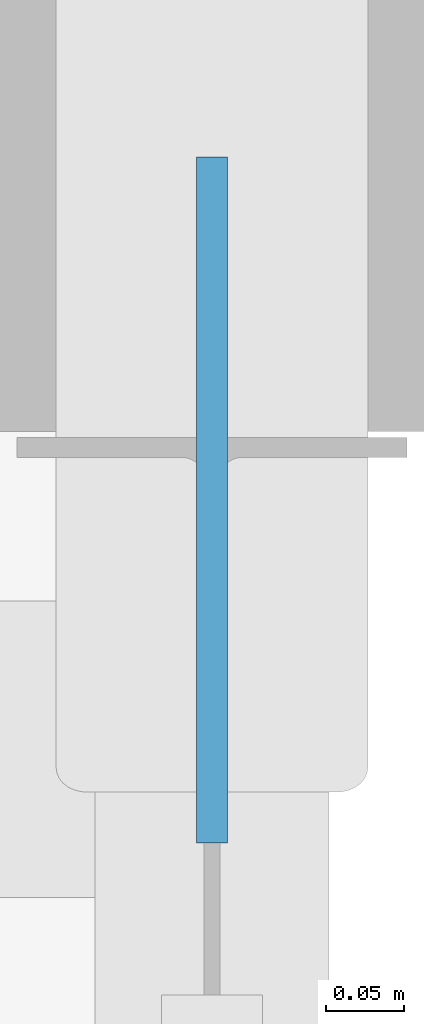
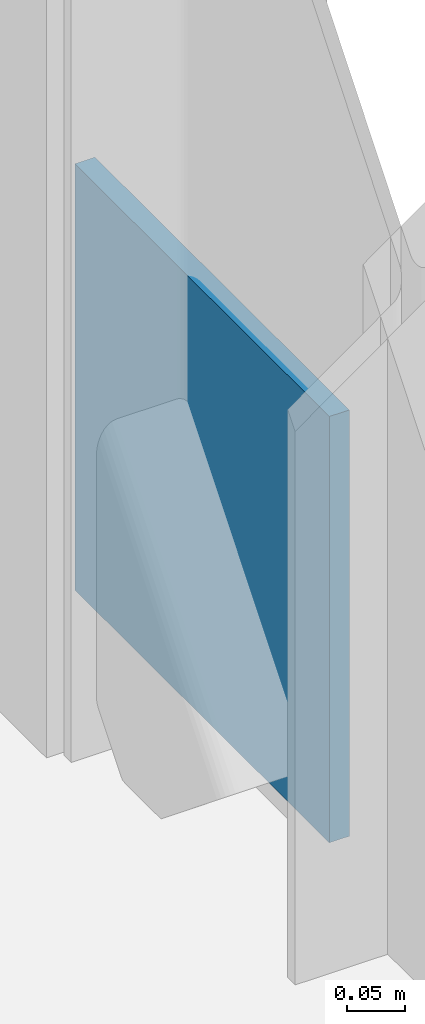
# One storey, part 98 of 116: 1 discrete accessory.
"""IFC4 building model written with IfcOpenShell, lengths in metres."""

import ifcopenshell
import ifcopenshell.guid

model = None  # the IFC model being written
_history = None  # IfcOwnerHistory: only IFC2X3 demands one
_inside = {}  # id of a spatial element -> (the spatial element, [elements in it])
_under = {}  # id of a project, library or spatial element -> (it, [spatial elements below it])
_declared = {}  # id of a project -> (the project, [libraries it declares])
_typed = {}  # id of a type object -> (the type object, [elements of that type])
_made_of = {}  # id of a material, layer set ... -> (it, [elements and type objects made of it])


def new_model(schema):
    """Start an empty IFC model of exactly this schema.

    Asked for "IFC4X3", IfcOpenShell would pick the latest addendum, in which some entities
    have other attributes; the version numbers below select the first issue.
    IFC2X3 requires an IfcOwnerHistory on every rooted entity: one is made here for all.
    """
    global model, _history
    if schema == "IFC4X3":
        model = ifcopenshell.file(schema_version=(4, 3, 0, 0))
    else:
        model = ifcopenshell.file(schema=schema)
    _inside.clear()
    _under.clear()
    _declared.clear()
    _typed.clear()
    _made_of.clear()
    _history = None
    if model.schema == "IFC2X3":
        org = make("IfcOrganization", Name="unknown")
        user = make(
            "IfcPersonAndOrganization",
            ThePerson=make("IfcPerson", FamilyName="unknown"),
            TheOrganization=org,
        )
        app = make(
            "IfcApplication",
            ApplicationDeveloper=org,
            Version="unknown",
            ApplicationFullName="unknown",
            ApplicationIdentifier="unknown",
        )
        _history = make(
            "IfcOwnerHistory",
            OwningUser=user,
            OwningApplication=app,
            ChangeAction="ADDED",
            CreationDate=0,
        )
    return model


def make(cls, **values):
    """One entity of the class cls with the attributes given. An attribute that is None is left unset."""
    return model.create_entity(
        cls, **{name: value for name, value in values.items() if value is not None}
    )


def rooted(cls, **values):
    """An entity with a GlobalId (a new one), such as an element, a storey or a relation."""
    return make(cls, GlobalId=ifcopenshell.guid.new(), OwnerHistory=_history, **values)


def si_unit(unit_type, name, prefix=None):
    """IfcSIUnit, for example si_unit("LENGTHUNIT", "METRE", prefix="MILLI")."""
    return make("IfcSIUnit", UnitType=unit_type, Prefix=prefix, Name=name)


def assignment(units):
    """IfcUnitAssignment: the units of a project."""
    return None if units is None else make("IfcUnitAssignment", Units=units)


def point(xyz):
    """IfcCartesianPoint."""
    return None if xyz is None else make("IfcCartesianPoint", Coordinates=xyz)


def direction(xyz):
    """IfcDirection."""
    return None if xyz is None else make("IfcDirection", DirectionRatios=xyz)


def frame(location, z_axis=None, x_axis=None):
    """IfcAxis2Placement3D, a coordinate frame: its origin and axes. An axis left out is left unset."""
    return make(
        "IfcAxis2Placement3D",
        Location=point(location),
        Axis=direction(z_axis),
        RefDirection=direction(x_axis),
    )


def frame_2d(location, x_axis=None):
    """IfcAxis2Placement2D, a coordinate frame in the plane: its origin and x axis."""
    return make(
        "IfcAxis2Placement2D", Location=point(location), RefDirection=direction(x_axis)
    )


def origin():
    """The frame at (0, 0, 0) with its axes left unset."""
    return frame((0.0, 0.0, 0.0))


def origin_2d():
    """The frame at (0, 0) in the plane with its x axis left unset."""
    return frame_2d((0.0, 0.0))


def place(relative_to, where):
    """IfcLocalPlacement: puts the frame where relative to a parent placement (None: the world)."""
    return make(
        "IfcLocalPlacement", PlacementRelTo=relative_to, RelativePlacement=where
    )


def context(
    kind, dimensions, precision=None, world=None, true_north=None, identifier=None
):
    """IfcGeometricRepresentationContext, for example the 3D "Model" context."""
    return make(
        "IfcGeometricRepresentationContext",
        ContextIdentifier=identifier,
        ContextType=kind,
        CoordinateSpaceDimension=dimensions,
        Precision=precision,
        WorldCoordinateSystem=world,
        TrueNorth=true_north,
    )


def subcontext(parent, identifier, kind, view, scale=None):
    """IfcGeometricRepresentationSubContext, for example "Body" below "Model"."""
    return make(
        "IfcGeometricRepresentationSubContext",
        ContextIdentifier=identifier,
        ContextType=kind,
        ParentContext=parent,
        TargetScale=scale,
        TargetView=view,
    )


def project(units=None, contexts=None):
    """IfcProject with its units and contexts."""
    return rooted(
        "IfcProject",
        Name="project",
        RepresentationContexts=contexts,
        UnitsInContext=assignment(units),
    )


def spatial(cls, under=None, at=None, **own):
    """A site, building, storey or space (cls), placed at a placement, below another one or the project."""
    s = rooted(cls, ObjectPlacement=at, **own)
    if under is not None:
        _under.setdefault(under.id(), (under, []))[1].append(s)
    return s


def profile(cls, at=None, kind="AREA", **sizes):
    """A parametric profile (cls). Its sizes go by their IFC names, for example OverallWidth=200.0."""
    return make(cls, ProfileType=kind, Position=at, **sizes)


def rectangle(**sizes):
    """IfcRectangleProfileDef."""
    return profile("IfcRectangleProfileDef", **sizes)


def extrude(swept, where, along, depth):
    """IfcExtrudedAreaSolid: the profile swept, set in the frame where, extruded along a direction by depth."""
    return make(
        "IfcExtrudedAreaSolid",
        SweptArea=swept,
        Position=where,
        ExtrudedDirection=direction(along),
        Depth=depth,
    )


def shape(context_of_items, identifier, shape_type, items):
    """IfcShapeRepresentation: the items that make up one representation, for example the "Body"."""
    return make(
        "IfcShapeRepresentation",
        ContextOfItems=context_of_items,
        RepresentationIdentifier=identifier,
        RepresentationType=shape_type,
        Items=items,
    )


def material(Name=None, Category=None):
    """IfcMaterial."""
    return make("IfcMaterial", Name=Name, Category=Category)


def layer(
    of_material, thickness, ventilated=None, Name=None, Category=None, Priority=None
):
    """IfcMaterialLayer: one layer of a wall or slab, of a material (None: an air gap)."""
    return make(
        "IfcMaterialLayer",
        Material=of_material,
        LayerThickness=thickness,
        IsVentilated=ventilated,
        Name=Name,
        Category=Category,
        Priority=Priority,
    )


def layer_set(layers, Name=None):
    """IfcMaterialLayerSet."""
    return make("IfcMaterialLayerSet", MaterialLayers=layers, LayerSetName=Name)


def made_of(thing, what):
    """Note that an element or type object is made of a material, layer set ...; save() writes the relation."""
    if what is not None:
        _made_of.setdefault(what.id(), (what, []))[1].append(thing)
    return thing


def type_object(cls, material=None, **own):
    """A type object (cls), such as IfcWallType, which elements share."""
    return made_of(rooted(cls, **own), material)


def element(
    cls,
    number,
    at=None,
    inside=None,
    cuts=None,
    type_object=None,
    material=None,
    context=None,
    identifier="Body",
    shape_type=None,
    held_by="IfcProductDefinitionShape",
    body=None,
    shapes=None,
    **own,
):
    """One element of the class cls, such as IfcWall. Its Tag is "e" and its number.

    at: its placement. inside: the storey or other place that contains it. cuts: it is an
    opening in that element (IfcRelVoidsElement). A single representation is given by context,
    identifier, shape_type and body (its items); several are given by shapes. held_by: the class
    of the entity that holds the representations. save() writes the other relations.
    """
    e = rooted(cls, Tag="e%d" % number, ObjectPlacement=at, **own)
    if body is not None:
        shapes = [shape(context, identifier, shape_type, body)]
    if shapes is not None:
        e.Representation = make(held_by, Representations=shapes)
    if inside is not None:
        _inside.setdefault(inside.id(), (inside, []))[1].append(e)
    if cuts is not None:
        rooted(
            "IfcRelVoidsElement", RelatingBuildingElement=cuts, RelatedOpeningElement=e
        )
    if type_object is not None:
        _typed.setdefault(type_object.id(), (type_object, []))[1].append(e)
    return made_of(e, material)


def aggregate(whole, parts):
    """IfcRelAggregates: a whole, such as a stair, and the parts it consists of."""
    return rooted("IfcRelAggregates", RelatingObject=whole, RelatedObjects=parts)


def save(model, path):
    """Write the relations noted so far, then the file.

    IfcRelAggregates (storeys below a building ...), IfcRelContainedInSpatialStructure (elements
    in a storey), IfcRelDefinesByType, IfcRelAssociatesMaterial and IfcRelDeclares: one each for
    every whole, place, type object, material and project.
    """
    for whole, parts in _under.values():
        aggregate(whole, parts)
    for where, things in _inside.values():
        rooted(
            "IfcRelContainedInSpatialStructure",
            RelatedElements=things,
            RelatingStructure=where,
        )
    for kind, things in _typed.values():
        rooted("IfcRelDefinesByType", RelatedObjects=things, RelatingType=kind)
    for what, things in _made_of.values():
        rooted("IfcRelAssociatesMaterial", RelatedObjects=things, RelatingMaterial=what)
    for by, libraries in _declared.values():
        rooted("IfcRelDeclares", RelatingContext=by, RelatedDefinitions=libraries)
    model.write(path)


model = new_model("IFC4")

# Units and contexts
model_context = context("Model", 3, precision=1e-05, world=origin(), true_north=direction((0.0, 1.0)))
body_context = subcontext(model_context, "Body", "Model", "MODEL_VIEW")
ifc_project = project(units=[si_unit("LENGTHUNIT", "METRE"), si_unit("AREAUNIT", "SQUARE_METRE"), si_unit("VOLUMEUNIT", "CUBIC_METRE"), si_unit("PLANEANGLEUNIT", "RADIAN"), si_unit("MASSUNIT", "GRAM", prefix="KILO")], contexts=[model_context])

# Site, building, storey
site_placement = place(None, origin())
site = spatial("IfcSite", under=ifc_project, at=site_placement, CompositionType="ELEMENT")
building_placement = place(site_placement, origin())
building = spatial("IfcBuilding", under=site, at=building_placement, Name="Varnakota Square Police Headquarters", CompositionType="ELEMENT")
storey_placement = place(building_placement, frame((0.0, 0.0, 9.300048828125)))
storey = spatial("IfcBuildingStorey", under=building, at=storey_placement, Name="L02", CompositionType="ELEMENT", Elevation=9.300048828125)

# Discrete accessory
ifc_material = material(Name="Steel IS 2062 Grade 350", Category="steel")
ifc_layer = layer(ifc_material, 0.64990234375, Name="Steel IS 2062 Grade 350")
ifc_layer_set = layer_set([ifc_layer], Name="Steel IS 2062 Grade 350")
discrete_accessory_type = type_object("IfcDiscreteAccessoryType", Name="ACC-EMB-350", PredefinedType="BRACKET", material=ifc_layer_set)
discrete_accessory_placement = place(storey_placement, frame((42.0, 27.159912109375, 0.02490234375), z_axis=(0.0, 0.0, 1.0), x_axis=(0.0, 1.0, 0.0)))
element("IfcDiscreteAccessory", 1, at=discrete_accessory_placement, inside=storey, type_object=discrete_accessory_type, Name="Brace gusset connection plate BF3 L02 L", PredefinedType="BRACKET", context=body_context, shape_type="SweptSolid", body=[
    extrude(rectangle(XDim=0.43994140625, YDim=0.02001953125, at=origin_2d()), origin(), (0.0, 0.0, 1.0), 0.449951171875),
])

save(model, "model.ifc")
